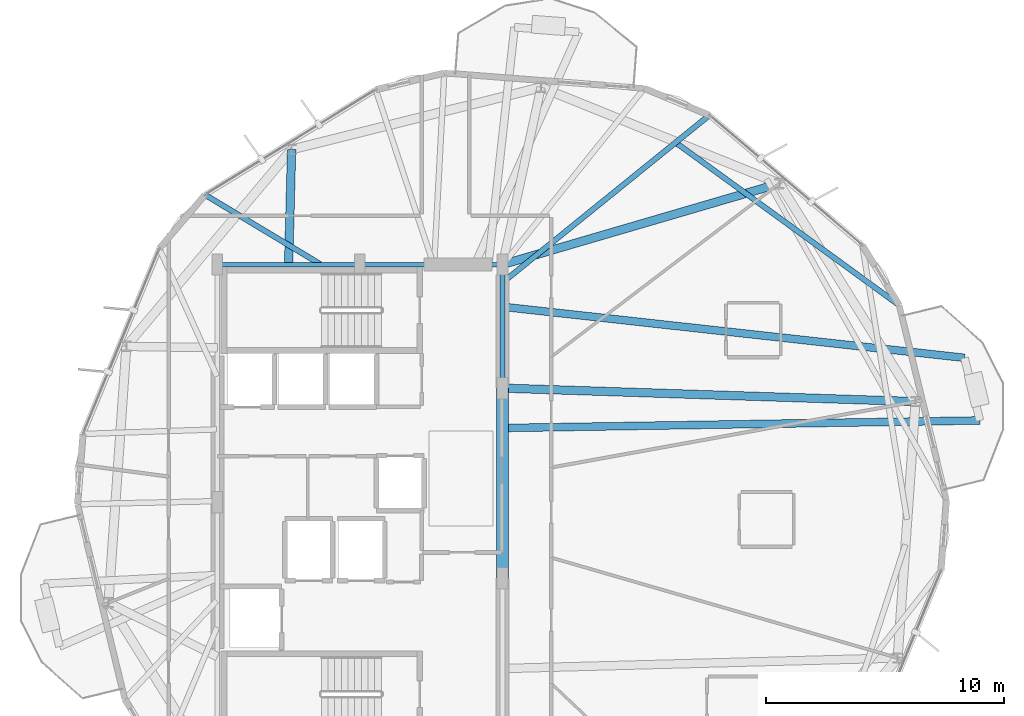
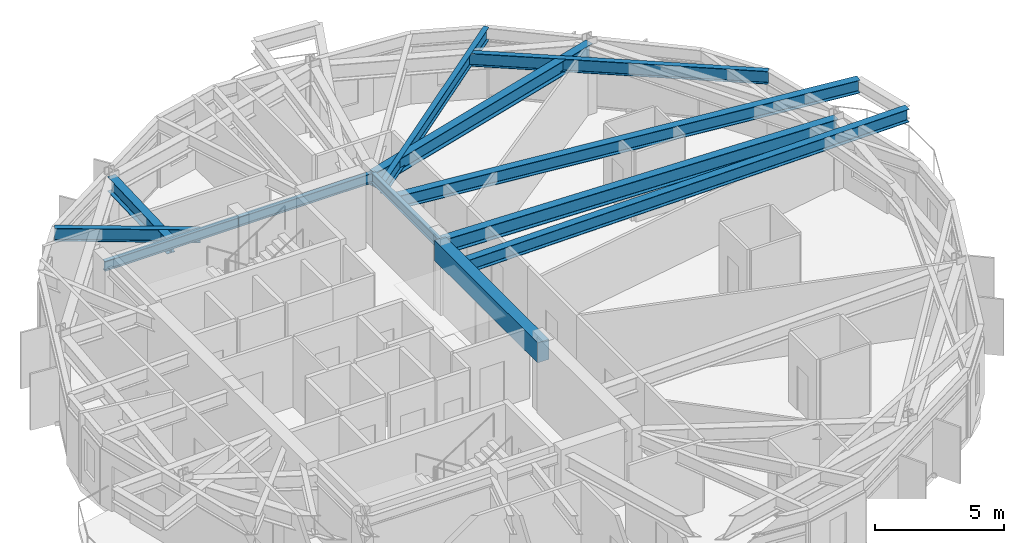
# One storey, part 7 of 21: 12 beams.
"""IFC4 building model written with IfcOpenShell, lengths in metres."""

from ifc_helpers import new_model, si_unit, direction, frame, origin, origin_2d, place, context, subcontext, project, spatial, rectangle, i_section, extrude, material, material_profile, profile_set, type_object, element, save


model = new_model("IFC4")

# Units and contexts
model_context = context("Model", 3, precision=1e-05, world=origin(), true_north=direction((0.0, 1.0)))
body_context = subcontext(model_context, "Body", "Model", "MODEL_VIEW")
ifc_project = project(units=[si_unit("LENGTHUNIT", "METRE"), si_unit("AREAUNIT", "SQUARE_METRE"), si_unit("VOLUMEUNIT", "CUBIC_METRE"), si_unit("PLANEANGLEUNIT", "RADIAN"), si_unit("MASSUNIT", "GRAM", prefix="KILO")], contexts=[model_context])

# Site, building, storey
site_placement = place(None, origin())
site = spatial("IfcSite", under=ifc_project, at=site_placement, CompositionType="ELEMENT")
building_placement = place(site_placement, origin())
building = spatial("IfcBuilding", under=site, at=building_placement, Name="Soratama Intermodal Tower", CompositionType="ELEMENT")
storey_placement = place(building_placement, frame((0.0, 0.0, 149.800048828125)))
storey = spatial("IfcBuildingStorey", under=building, at=storey_placement, Name="L36", CompositionType="ELEMENT", Elevation=149.800048828125)

# Beams
ifc_material_1 = material(Name="Structural steel ASTM A992 Grade 50", Category="steel")
ifc_material_profile_1 = material_profile(ifc_material_1, i_section(OverallWidth=0.324951171875, OverallDepth=0.615966796875, WebThickness=0.013916015625, FlangeThickness=0.021484375, FilletRadius=0.013916015625, at=origin_2d()), Name="W24X117")
ifc_profile_set_1 = profile_set([ifc_material_profile_1], Name="Structural steel ASTM A992 Grade 50")
beam_type_1 = type_object("IfcBeamType", Name="BM-CANT-W24X117", PredefinedType="BEAM", material=ifc_profile_set_1)
beam_1_placement = place(storey_placement, frame((44.8349609375, 28.1240234375, 2.991943359375), z_axis=(0.99987496263, 0.015813257274, 0.0), x_axis=(-0.015813257274, 0.99987496263, 0.0)))
element("IfcBeam", 1, at=beam_1_placement, inside=storey, type_object=beam_type_1, Name="BM-L36-CANT-1-1", PredefinedType="BEAM", context=body_context, shape_type="SweptSolid", body=[
    extrude(i_section(OverallWidth=0.324951171875, OverallDepth=0.615966796875, WebThickness=0.013916015625, FlangeThickness=0.021484375, FilletRadius=0.013916015625, at=origin_2d()), origin(), (0.0, 0.0, 1.0), 19.8544921875),
])
beam_2_placement = place(storey_placement, frame((44.639892578125, 33.218017578125, 2.991943359375), z_axis=(0.993947789325, -0.109853502886, 0.0), x_axis=(0.109853502886, 0.993947789325, 0.0)))
element("IfcBeam", 2, at=beam_2_placement, inside=storey, type_object=beam_type_1, Name="BM-L36-CANT-1-2", PredefinedType="BEAM", context=body_context, shape_type="SweptSolid", body=[
    extrude(i_section(OverallWidth=0.324951171875, OverallDepth=0.615966796875, WebThickness=0.013916015625, FlangeThickness=0.021484375, FilletRadius=0.013916015625, at=origin_2d()), origin(), (0.0, 0.0, 1.0), 19.517333984375),
])
ifc_material_2 = material(Name="Concrete f'c 56 MPa", Category="concrete")
ifc_material_profile_2 = material_profile(ifc_material_2, rectangle(XDim=0.5, YDim=0.949951171875, at=origin_2d()), Name="RC500X950")
ifc_profile_set_2 = profile_set([ifc_material_profile_2], Name="Concrete f'c 56 MPa")
beam_type_2 = type_object("IfcBeamType", Name="BM-CPL-RC500X950", PredefinedType="BEAM", material=ifc_profile_set_2)
beam_3_placement = place(storey_placement, frame((44.60009765625, 21.800048828125, 2.824951171875), z_axis=(0.0, 1.0, 0.0), x_axis=(-1.0, 0.0, 0.0)))
element("IfcBeam", 3, at=beam_3_placement, inside=storey, type_object=beam_type_2, Name="L36 Core Coupling Beam East", PredefinedType="BEAM", context=body_context, shape_type="SweptSolid", body=[
    extrude(rectangle(XDim=0.5, YDim=0.949951171875, at=origin_2d()), origin(), (0.0, 0.0, 1.0), 8.0),
])
ifc_material_3 = material(Name="Structural steel ASTM A992 Grade 50", Category="steel")
ifc_material_profile_3 = material_profile(ifc_material_3, i_section(OverallWidth=0.19091796875, OverallDepth=0.4599609375, WebThickness=0.010009765625, FlangeThickness=0.01611328125, FilletRadius=0.010986328125, at=origin_2d()), Name="W18X55")
ifc_profile_set_3 = profile_set([ifc_material_profile_3], Name="Structural steel ASTM A992 Grade 50")
beam_type_3 = type_object("IfcBeamType", Name="BM-FLR-W18X55", PredefinedType="BEAM", material=ifc_profile_set_3)
beam_4_placement = place(storey_placement, frame((44.60009765625, 29.800048828125, 3.070068359375), z_axis=(0.0, 1.0, 0.0), x_axis=(-1.0, 0.0, 0.0)))
element("IfcBeam", 4, at=beam_4_placement, inside=storey, type_object=beam_type_3, Name="BM-L36-CRING-05", PredefinedType="BEAM", context=body_context, shape_type="SweptSolid", body=[
    extrude(i_section(OverallWidth=0.19091796875, OverallDepth=0.4599609375, WebThickness=0.010009765625, FlangeThickness=0.01611328125, FilletRadius=0.010986328125, at=origin_2d()), origin(), (0.0, 0.0, 1.0), 5.199951171875),
])
for number, where, z_axis, x_axis, name in (
    (5, (44.60009765625, 35.0, 3.070068359375), (-1.0, 0.0, 0.0), (0.0, -1.0, 0.0), "BM-L36-CRING-06"),
    (6, (38.60009765625, 35.0, 3.070068359375), (-1.0, 0.0, 0.0), (0.0, -1.0, 0.0), "BM-L36-CRING-07"),
):
    element("IfcBeam", number, at=place(storey_placement, frame(where, z_axis=z_axis, x_axis=x_axis)), inside=storey, type_object=beam_type_3, Name=name, PredefinedType="BEAM", context=body_context, shape_type="SweptSolid", body=[
        extrude(i_section(OverallWidth=0.19091796875, OverallDepth=0.4599609375, WebThickness=0.010009765625, FlangeThickness=0.01611328125, FilletRadius=0.010986328125, at=origin_2d()), origin(), (0.0, 0.0, 1.0), 6.0),
    ])
ifc_material_4 = material(Name="Structural steel ASTM A992 Grade 50", Category="steel")
ifc_material_profile_4 = material_profile(ifc_material_4, i_section(OverallWidth=0.35498046875, OverallDepth=0.695068359375, WebThickness=0.015380859375, FlangeThickness=0.02490234375, FilletRadius=0.01611328125, at=origin_2d()), Name="W27X146")
ifc_profile_set_4 = profile_set([ifc_material_profile_4], Name="Structural steel ASTM A992 Grade 50")
beam_type_4 = type_object("IfcBeamType", Name="BM-RING-W27X146", PredefinedType="BEAM", material=ifc_profile_set_4)
beam_5_placement = place(storey_placement, frame((44.60009765625, 29.800048828125, 2.952392578125), z_axis=(0.999469833309, -0.032558444449, 0.0), x_axis=(0.032558444449, 0.999469833309, 0.0)))
element("IfcBeam", 7, at=beam_5_placement, inside=storey, type_object=beam_type_4, Name="BM-L36-RAD-01", PredefinedType="BEAM", context=body_context, shape_type="SweptSolid", body=[
    extrude(i_section(OverallWidth=0.35498046875, OverallDepth=0.695068359375, WebThickness=0.015380859375, FlangeThickness=0.02490234375, FilletRadius=0.01611328125, at=origin_2d()), origin(), (0.0, 0.0, 1.0), 17.38916015625),
])
beam_6_placement = place(storey_placement, frame((44.60009765625, 35.0, 2.952392578125), z_axis=(0.959813691047, 0.280637984738, 0.0), x_axis=(-0.280637984738, 0.959813691047, 0.0)))
element("IfcBeam", 8, at=beam_6_placement, inside=storey, type_object=beam_type_4, Name="BM-L36-RAD-02", PredefinedType="BEAM", context=body_context, shape_type="SweptSolid", body=[
    extrude(i_section(OverallWidth=0.35498046875, OverallDepth=0.695068359375, WebThickness=0.015380859375, FlangeThickness=0.02490234375, FilletRadius=0.01611328125, at=origin_2d()), origin(), (0.0, 0.0, 1.0), 12.13671875),
])
beam_7_placement = place(storey_placement, frame((35.60009765625, 35.0, 2.952392578125), z_axis=(0.026013685955, 0.99966158681, 0.0), x_axis=(-0.99966158681, 0.026013685955, 0.0)))
element("IfcBeam", 9, at=beam_7_placement, inside=storey, type_object=beam_type_4, Name="BM-L36-RAD-04", PredefinedType="BEAM", context=body_context, shape_type="SweptSolid", body=[
    extrude(i_section(OverallWidth=0.35498046875, OverallDepth=0.695068359375, WebThickness=0.015380859375, FlangeThickness=0.02490234375, FilletRadius=0.01611328125, at=origin_2d()), origin(), (0.0, 0.0, 1.0), 4.8427734375),
])
ifc_material_5 = material(Name="Structural steel ASTM A992 Grade 50", Category="steel")
ifc_material_profile_5 = material_profile(ifc_material_5, i_section(OverallWidth=0.22900390625, OverallDepth=0.612060546875, WebThickness=0.011962890625, FlangeThickness=0.01953125, FilletRadius=0.012939453125, at=origin_2d()), Name="W24X84")
ifc_profile_set_5 = profile_set([ifc_material_profile_5], Name="Structural steel ASTM A992 Grade 50")
beam_type_5 = type_object("IfcBeamType", Name="BM-TIE-W24X84", PredefinedType="BEAM", material=ifc_profile_set_5)
beam_8_placement = place(storey_placement, frame((44.631103515625, 34.264892578125, 2.993896484375), z_axis=(0.777464359171, 0.628926999117, 0.0), x_axis=(-0.628926999117, 0.777464359171, 0.0)))
element("IfcBeam", 10, at=beam_8_placement, inside=storey, type_object=beam_type_5, Name="BM-L36-TIE1-01", PredefinedType="BEAM", context=body_context, shape_type="SweptSolid", body=[
    extrude(i_section(OverallWidth=0.22900390625, OverallDepth=0.612060546875, WebThickness=0.011962890625, FlangeThickness=0.01953125, FilletRadius=0.012939453125, at=origin_2d()), origin(), (0.0, 0.0, 1.0), 11.161865234375),
])
beam_9_placement = place(storey_placement, frame((36.924072265625, 35.02099609375, 2.993896484375), z_axis=(-0.856894064461, 0.51549254339, 0.0), x_axis=(-0.51549254339, -0.856894064461, 0.0)))
element("IfcBeam", 11, at=beam_9_placement, inside=storey, type_object=beam_type_5, Name="BM-L36-TIE1-03", PredefinedType="BEAM", context=body_context, shape_type="SweptSolid", body=[
    extrude(i_section(OverallWidth=0.22900390625, OverallDepth=0.612060546875, WebThickness=0.011962890625, FlangeThickness=0.01953125, FilletRadius=0.012939453125, at=origin_2d()), origin(), (0.0, 0.0, 1.0), 5.653076171875),
])
beam_10_placement = place(storey_placement, frame((51.81298828125, 40.18701171875, 2.993896484375), z_axis=(0.808665840909, -0.588268270219, 0.0), x_axis=(0.588268270219, 0.808665840909, 0.0)))
element("IfcBeam", 12, at=beam_10_placement, inside=storey, type_object=beam_type_5, Name="BM-L36-TIE1-10", PredefinedType="BEAM", context=body_context, shape_type="SweptSolid", body=[
    extrude(i_section(OverallWidth=0.22900390625, OverallDepth=0.612060546875, WebThickness=0.011962890625, FlangeThickness=0.01953125, FilletRadius=0.012939453125, at=origin_2d()), origin(), (0.0, 0.0, 1.0), 11.72412109375),
])

save(model, "model.ifc")
